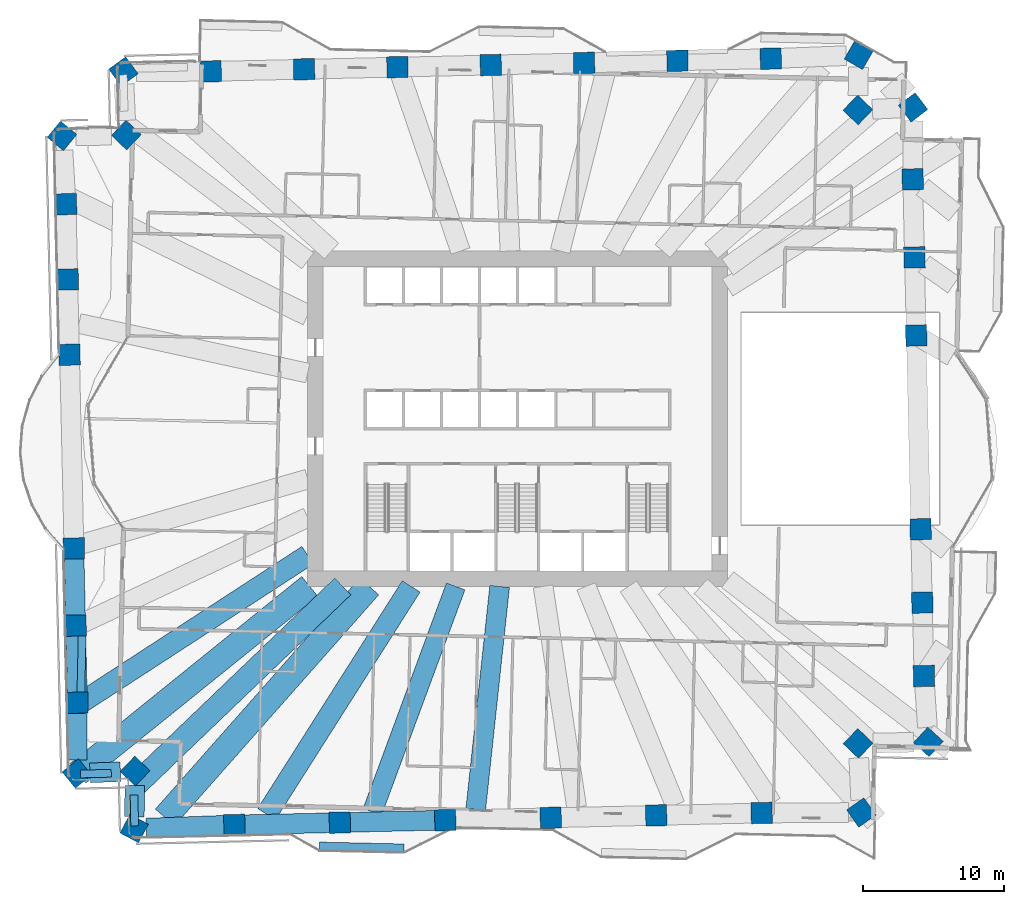
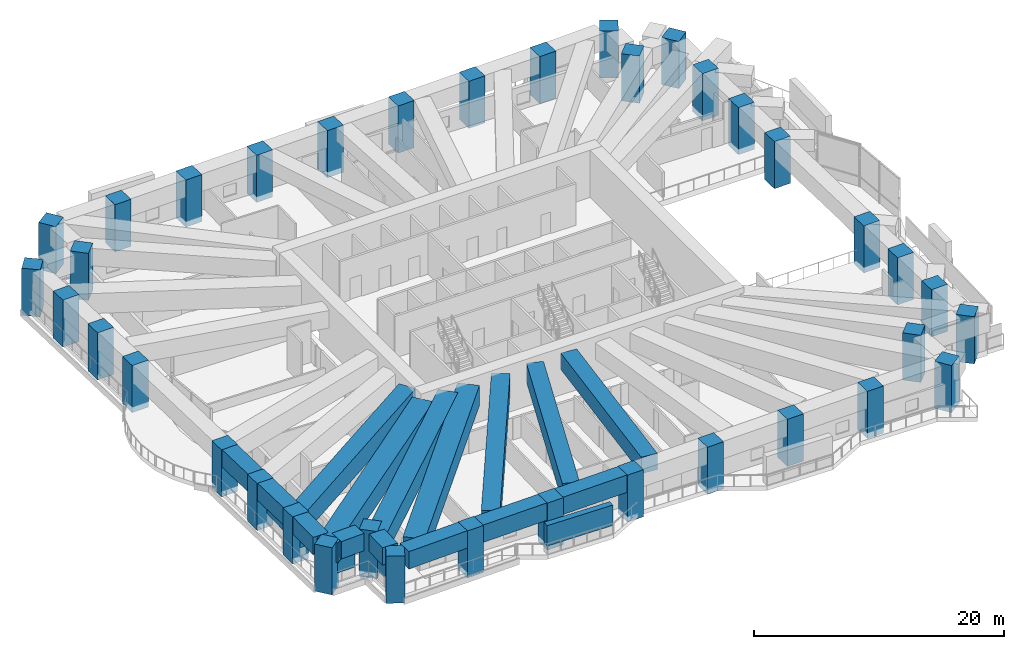
# One storey, part 1 of 20: 37 columns, 15 beams, 4 members.
"""IFC4 building model written with IfcOpenShell, lengths in metres."""

import ifcopenshell
import ifcopenshell.guid

model = None  # the IFC model being written
_history = None  # IfcOwnerHistory: only IFC2X3 demands one
_inside = {}  # id of a spatial element -> (the spatial element, [elements in it])
_under = {}  # id of a project, library or spatial element -> (it, [spatial elements below it])
_declared = {}  # id of a project -> (the project, [libraries it declares])
_typed = {}  # id of a type object -> (the type object, [elements of that type])
_made_of = {}  # id of a material, layer set ... -> (it, [elements and type objects made of it])


def new_model(schema):
    """Start an empty IFC model of exactly this schema.

    Asked for "IFC4X3", IfcOpenShell would pick the latest addendum, in which some entities
    have other attributes; the version numbers below select the first issue.
    IFC2X3 requires an IfcOwnerHistory on every rooted entity: one is made here for all.
    """
    global model, _history
    if schema == "IFC4X3":
        model = ifcopenshell.file(schema_version=(4, 3, 0, 0))
    else:
        model = ifcopenshell.file(schema=schema)
    _inside.clear()
    _under.clear()
    _declared.clear()
    _typed.clear()
    _made_of.clear()
    _history = None
    if model.schema == "IFC2X3":
        org = make("IfcOrganization", Name="unknown")
        user = make(
            "IfcPersonAndOrganization",
            ThePerson=make("IfcPerson", FamilyName="unknown"),
            TheOrganization=org,
        )
        app = make(
            "IfcApplication",
            ApplicationDeveloper=org,
            Version="unknown",
            ApplicationFullName="unknown",
            ApplicationIdentifier="unknown",
        )
        _history = make(
            "IfcOwnerHistory",
            OwningUser=user,
            OwningApplication=app,
            ChangeAction="ADDED",
            CreationDate=0,
        )
    return model


def make(cls, **values):
    """One entity of the class cls with the attributes given. An attribute that is None is left unset."""
    return model.create_entity(
        cls, **{name: value for name, value in values.items() if value is not None}
    )


def rooted(cls, **values):
    """An entity with a GlobalId (a new one), such as an element, a storey or a relation."""
    return make(cls, GlobalId=ifcopenshell.guid.new(), OwnerHistory=_history, **values)


def si_unit(unit_type, name, prefix=None):
    """IfcSIUnit, for example si_unit("LENGTHUNIT", "METRE", prefix="MILLI")."""
    return make("IfcSIUnit", UnitType=unit_type, Prefix=prefix, Name=name)


def assignment(units):
    """IfcUnitAssignment: the units of a project."""
    return None if units is None else make("IfcUnitAssignment", Units=units)


def point(xyz):
    """IfcCartesianPoint."""
    return None if xyz is None else make("IfcCartesianPoint", Coordinates=xyz)


def direction(xyz):
    """IfcDirection."""
    return None if xyz is None else make("IfcDirection", DirectionRatios=xyz)


def frame(location, z_axis=None, x_axis=None):
    """IfcAxis2Placement3D, a coordinate frame: its origin and axes. An axis left out is left unset."""
    return make(
        "IfcAxis2Placement3D",
        Location=point(location),
        Axis=direction(z_axis),
        RefDirection=direction(x_axis),
    )


def frame_2d(location, x_axis=None):
    """IfcAxis2Placement2D, a coordinate frame in the plane: its origin and x axis."""
    return make(
        "IfcAxis2Placement2D", Location=point(location), RefDirection=direction(x_axis)
    )


def origin():
    """The frame at (0, 0, 0) with its axes left unset."""
    return frame((0.0, 0.0, 0.0))


def origin_2d():
    """The frame at (0, 0) in the plane with its x axis left unset."""
    return frame_2d((0.0, 0.0))


def place(relative_to, where):
    """IfcLocalPlacement: puts the frame where relative to a parent placement (None: the world)."""
    return make(
        "IfcLocalPlacement", PlacementRelTo=relative_to, RelativePlacement=where
    )


def context(
    kind, dimensions, precision=None, world=None, true_north=None, identifier=None
):
    """IfcGeometricRepresentationContext, for example the 3D "Model" context."""
    return make(
        "IfcGeometricRepresentationContext",
        ContextIdentifier=identifier,
        ContextType=kind,
        CoordinateSpaceDimension=dimensions,
        Precision=precision,
        WorldCoordinateSystem=world,
        TrueNorth=true_north,
    )


def subcontext(parent, identifier, kind, view, scale=None):
    """IfcGeometricRepresentationSubContext, for example "Body" below "Model"."""
    return make(
        "IfcGeometricRepresentationSubContext",
        ContextIdentifier=identifier,
        ContextType=kind,
        ParentContext=parent,
        TargetScale=scale,
        TargetView=view,
    )


def project(units=None, contexts=None):
    """IfcProject with its units and contexts."""
    return rooted(
        "IfcProject",
        Name="project",
        RepresentationContexts=contexts,
        UnitsInContext=assignment(units),
    )


def spatial(cls, under=None, at=None, **own):
    """A site, building, storey or space (cls), placed at a placement, below another one or the project."""
    s = rooted(cls, ObjectPlacement=at, **own)
    if under is not None:
        _under.setdefault(under.id(), (under, []))[1].append(s)
    return s


def profile(cls, at=None, kind="AREA", **sizes):
    """A parametric profile (cls). Its sizes go by their IFC names, for example OverallWidth=200.0."""
    return make(cls, ProfileType=kind, Position=at, **sizes)


def rectangle(**sizes):
    """IfcRectangleProfileDef."""
    return profile("IfcRectangleProfileDef", **sizes)


def extrude(swept, where, along, depth):
    """IfcExtrudedAreaSolid: the profile swept, set in the frame where, extruded along a direction by depth."""
    return make(
        "IfcExtrudedAreaSolid",
        SweptArea=swept,
        Position=where,
        ExtrudedDirection=direction(along),
        Depth=depth,
    )


def shape(context_of_items, identifier, shape_type, items):
    """IfcShapeRepresentation: the items that make up one representation, for example the "Body"."""
    return make(
        "IfcShapeRepresentation",
        ContextOfItems=context_of_items,
        RepresentationIdentifier=identifier,
        RepresentationType=shape_type,
        Items=items,
    )


def material(Name=None, Category=None):
    """IfcMaterial."""
    return make("IfcMaterial", Name=Name, Category=Category)


def material_profile(
    of_material, cross_section, Name=None, Category=None, Priority=None
):
    """IfcMaterialProfile: a cross section and its material."""
    return make(
        "IfcMaterialProfile",
        Name=Name,
        Material=of_material,
        Profile=cross_section,
        Priority=Priority,
        Category=Category,
    )


def profile_set(profiles, Name=None, composite=None):
    """IfcMaterialProfileSet."""
    return make(
        "IfcMaterialProfileSet",
        Name=Name,
        MaterialProfiles=profiles,
        CompositeProfile=composite,
    )


def made_of(thing, what):
    """Note that an element or type object is made of a material, layer set ...; save() writes the relation."""
    if what is not None:
        _made_of.setdefault(what.id(), (what, []))[1].append(thing)
    return thing


def type_object(cls, material=None, **own):
    """A type object (cls), such as IfcWallType, which elements share."""
    return made_of(rooted(cls, **own), material)


def element(
    cls,
    number,
    at=None,
    inside=None,
    cuts=None,
    type_object=None,
    material=None,
    context=None,
    identifier="Body",
    shape_type=None,
    held_by="IfcProductDefinitionShape",
    body=None,
    shapes=None,
    **own,
):
    """One element of the class cls, such as IfcWall. Its Tag is "e" and its number.

    at: its placement. inside: the storey or other place that contains it. cuts: it is an
    opening in that element (IfcRelVoidsElement). A single representation is given by context,
    identifier, shape_type and body (its items); several are given by shapes. held_by: the class
    of the entity that holds the representations. save() writes the other relations.
    """
    e = rooted(cls, Tag="e%d" % number, ObjectPlacement=at, **own)
    if body is not None:
        shapes = [shape(context, identifier, shape_type, body)]
    if shapes is not None:
        e.Representation = make(held_by, Representations=shapes)
    if inside is not None:
        _inside.setdefault(inside.id(), (inside, []))[1].append(e)
    if cuts is not None:
        rooted(
            "IfcRelVoidsElement", RelatingBuildingElement=cuts, RelatedOpeningElement=e
        )
    if type_object is not None:
        _typed.setdefault(type_object.id(), (type_object, []))[1].append(e)
    return made_of(e, material)


def aggregate(whole, parts):
    """IfcRelAggregates: a whole, such as a stair, and the parts it consists of."""
    return rooted("IfcRelAggregates", RelatingObject=whole, RelatedObjects=parts)


def save(model, path):
    """Write the relations noted so far, then the file.

    IfcRelAggregates (storeys below a building ...), IfcRelContainedInSpatialStructure (elements
    in a storey), IfcRelDefinesByType, IfcRelAssociatesMaterial and IfcRelDeclares: one each for
    every whole, place, type object, material and project.
    """
    for whole, parts in _under.values():
        aggregate(whole, parts)
    for where, things in _inside.values():
        rooted(
            "IfcRelContainedInSpatialStructure",
            RelatedElements=things,
            RelatingStructure=where,
        )
    for kind, things in _typed.values():
        rooted("IfcRelDefinesByType", RelatedObjects=things, RelatingType=kind)
    for what, things in _made_of.values():
        rooted("IfcRelAssociatesMaterial", RelatedObjects=things, RelatingMaterial=what)
    for by, libraries in _declared.values():
        rooted("IfcRelDeclares", RelatingContext=by, RelatedDefinitions=libraries)
    model.write(path)


model = new_model("IFC4")

# Units and contexts
model_context = context("Model", 3, precision=1e-05, world=origin(), true_north=direction((0.0, 1.0)))
body_context = subcontext(model_context, "Body", "Model", "MODEL_VIEW")
ifc_project = project(units=[si_unit("LENGTHUNIT", "METRE"), si_unit("AREAUNIT", "SQUARE_METRE"), si_unit("VOLUMEUNIT", "CUBIC_METRE"), si_unit("PLANEANGLEUNIT", "RADIAN"), si_unit("MASSUNIT", "GRAM", prefix="KILO")], contexts=[model_context])

# Site, building, storey
site_placement = place(None, origin())
site = spatial("IfcSite", under=ifc_project, at=site_placement, CompositionType="ELEMENT")
building_placement = place(site_placement, origin())
building = spatial("IfcBuilding", under=site, at=building_placement, Name="Mangrove Gate Tower", CompositionType="ELEMENT")
storey_placement = place(building_placement, frame((0.0, 0.0, 52.10009765625)))
storey = spatial("IfcBuildingStorey", under=building, at=storey_placement, Name="L12", CompositionType="ELEMENT", Elevation=52.10009765625)

# Columns
ifc_material_1 = material(Name="Concrete C70/85", Category="concrete")
ifc_material_profile_1 = material_profile(ifc_material_1, rectangle(XDim=1.5, YDim=1.5, at=origin_2d()))
ifc_profile_set_1 = profile_set([ifc_material_profile_1], Name="Concrete C70/85")
column_type = type_object("IfcColumnType", Name="Column RC 1500x1500 C70/85", PredefinedType="COLUMN", material=ifc_profile_set_1)
for number, where, z_axis, x_axis, name in (
    (1, (-31.486083984375, -9.205078125, -0.550048828125), (0.0, 0.0, 1.0), (0.022677684385, -0.999742828247, 0.0), "Column L12 W06"),
    (2, (-31.3623046875, -14.678955078125, -0.550048828125), (0.0, 0.0, 1.0), (0.022648789156, -0.999743483274, 0.0), "Column L12 W07"),
    (3, (-31.23828125, -20.15185546875, -0.550048828125), (0.0, 0.0, 1.0), (0.022740081264, -0.999741410918, 0.0), "Column L12 W08"),
    (4, (-31.2783203125, -25.173095703125, -0.550048828125), (0.0, 0.0, 1.0), (0.626513761853, -0.779410358033, 0.0), "Column L12 W09"),
    (5, (-27.14697265625, -25.004638671875, -0.550048828125), (0.0, 0.0, 1.0), (0.723003777622, -0.690844076144, 0.0), "Column L12 W10"),
    (6, (-27.217041015625, -29.083740234375, -0.550048828125), (0.0, 0.0, 1.0), (0.88296485665, -0.469439092877, 0.0), "Column L12 S01"),
    (7, (-20.10205078125, -28.8271484375, -0.550048828125), (0.0, 0.0, 1.0), (0.999743591179, 0.022644025629, 0.0), "Column L12 S02"),
    (8, (-12.619140625, -28.6572265625, -0.550048828125), (0.0, 0.0, 1.0), (0.999742076866, 0.022710784754, 0.0), "Column L12 S03"),
    (9, (-5.135009765625, -28.4873046875, -0.550048828125), (0.0, 0.0, 1.0), (0.999742111349, 0.022709266709, 0.0), "Column L12 S04"),
    (10, (2.348876953125, -28.317138671875, -0.550048828125), (0.0, 0.0, 1.0), (0.999742111349, 0.022709266709, 0.0), "Column L12 S05"),
    (11, (9.8330078125, -28.147216796875, -0.550048828125), (0.0, 0.0, 1.0), (0.999742076866, 0.022710784754, 0.0), "Column L12 S06"),
    (12, (17.31591796875, -27.977294921875, -0.550048828125), (0.0, 0.0, 1.0), (0.999743591179, 0.022644025629, 0.0), "Column L12 S07"),
    (13, (24.386474609375, -27.94384765625, -0.550048828125), (0.0, 0.0, 1.0), (0.818798537757, 0.574080965166, 0.0), "Column L12 S08"),
    (14, (24.161865234375, -23.040771484375, -0.550048828125), (0.0, 0.0, 1.0), (0.690875836988, 0.722973428188, 0.0), "Column L12 E01"),
    (15, (29.150390625, -22.93798828125, -0.550048828125), (0.0, 0.0, 1.0), (0.675975496551, 0.736924099255, 0.0), "Column L12 E02"),
    (16, (28.834228515625, -18.256103515625, -0.550048828125), (0.0, 0.0, 1.0), (-0.022754110081, 0.99974109172, 0.0), "Column L12 E03"),
    (17, (28.71630859375, -13.049072265625, -0.550048828125), (0.0, 0.0, 1.0), (-0.022655978068, 0.999743320387, 0.0), "Column L12 E04"),
    (18, (28.59814453125, -7.842041015625, -0.550048828125), (0.0, 0.0, 1.0), (-0.022680668131, 0.999742760561, 0.0), "Column L12 E05"),
    (19, (28.2861328125, 5.905029296875, -0.550048828125), (0.0, 0.0, 1.0), (-0.022703735442, 0.999742236978, 0.0), "Column L12 E06"),
    (20, (28.16015625, 11.445068359375, -0.550048828125), (0.0, 0.0, 1.0), (-0.022645578574, 0.999743556004, 0.0), "Column L12 E07"),
    (21, (28.03515625, 16.986083984375, -0.550048828125), (0.0, 0.0, 1.0), (-0.022645578574, 0.999743556004, 0.0), "Column L12 E08"),
    (22, (28.06103515625, 22.09033203125, -0.550048828125), (0.0, 0.0, 1.0), (-0.60357593887, 0.797305516109, 0.0), "Column L12 E09"),
    (23, (24.141845703125, 21.90966796875, -0.550048828125), (0.0, 0.0, 1.0), (-0.723010312757, 0.690837236726, 0.0), "Column L12 E10"),
    (24, (24.196044921875, 25.80029296875, -0.550048828125), (0.0, 0.0, 1.0), (-0.867550504106, 0.497349095531, 0.0), "Column L12 N01"),
    (25, (17.963134765625, 25.55126953125, -0.550048828125), (0.0, 0.0, 1.0), (-0.999741913532, -0.022717973655, 0.0), "Column L12 N02"),
    (26, (11.340087890625, 25.400146484375, -0.550048828125), (0.0, 0.0, 1.0), (-0.999741952388, -0.022716263674, 0.0), "Column L12 N03"),
    (27, (4.716064453125, 25.250244140625, -0.550048828125), (0.0, 0.0, 1.0), (-0.999743663498, -0.022640832496, 0.0), "Column L12 N04"),
    (28, (-1.906982421875, 25.10009765625, -0.550048828125), (0.0, 0.0, 1.0), (-0.999741913532, -0.022717973655, 0.0), "Column L12 N05"),
    (29, (-8.530029296875, 24.94921875, -0.550048828125), (0.0, 0.0, 1.0), (-0.999741952388, -0.022716263674, 0.0), "Column L12 N06"),
    (30, (-15.154052734375, 24.799072265625, -0.550048828125), (0.0, 0.0, 1.0), (-0.999743663498, -0.022640832496, 0.0), "Column L12 N07"),
    (31, (-21.777099609375, 24.649169921875, -0.550048828125), (0.0, 0.0, 1.0), (-0.999743624771, -0.02264254248, 0.0), "Column L12 N08"),
    (32, (-27.975341796875, 24.642822265625, -0.550048828125), (0.0, 0.0, 1.0), (-0.808269368168, -0.588812897686, 0.0), "Column L12 N09"),
    (33, (-27.770751953125, 20.1318359375, -0.550048828125), (0.0, 0.0, 1.0), (-0.690863130287, -0.722985570541, 0.0), "Column L12 W01"),
    (34, (-32.332763671875, 20.068603515625, -0.550048828125), (0.0, 0.0, 1.0), (-0.63510539695, -0.772425488164, 0.0), "Column L12 W02"),
    (35, (-32.040283203125, 15.22216796875, -0.550048828125), (0.0, 0.0, 1.0), (0.022746921185, -0.999741255314, 0.0), "Column L12 W03"),
    (36, (-31.919189453125, 9.882080078125, -0.550048828125), (0.0, 0.0, 1.0), (0.022653360746, -0.999743379696, 0.0), "Column L12 W04"),
    (37, (-31.798095703125, 4.5419921875, -0.550048828125), (0.0, 0.0, 1.0), (0.022679760793, -0.999742781144, 0.0), "Column L12 W05"),
):
    element("IfcColumn", number, at=place(storey_placement, frame(where, z_axis=z_axis, x_axis=x_axis)), inside=storey, type_object=column_type, Name=name, PredefinedType="COLUMN", context=body_context, shape_type="SweptSolid", body=[
        extrude(rectangle(XDim=1.5, YDim=1.5, at=origin_2d()), origin(), (0.0, 0.0, 1.0), 4.599853515625),
    ])

# Members
ifc_material_2 = material(Name="Planting on aluminium trellis", Category="aluminium")
ifc_material_profile_2 = material_profile(ifc_material_2, rectangle(XDim=0.550048828125, YDim=2.0, at=origin_2d()))
ifc_profile_set_2 = profile_set([ifc_material_profile_2], Name="Planting on aluminium trellis")
member_type_1 = type_object("IfcMemberType", Name="Balcony greenery screen 550x2000", PredefinedType="USERDEFINED", material=ifc_profile_set_2)
member_1_placement = place(storey_placement, frame((-31.028076171875, -20.9140625, 1.7998046875), z_axis=(0.022665943652, 0.999743094499, 0.0), x_axis=(-0.999743094499, 0.022665943652, 0.0)))
element("IfcMember", 38, at=member_1_placement, inside=storey, type_object=member_type_1, Name="GREEN SCREEN L12 W1.1", ObjectType="PLANTING", PredefinedType="USERDEFINED", context=body_context, shape_type="SweptSolid", body=[
    extrude(rectangle(XDim=0.550048828125, YDim=2.0, at=origin_2d()), origin(), (0.0, 0.0, 1.0), 5.99951171875),
])
member_2_placement = place(storey_placement, frame((-14.054931640625, -30.31689453125, 1.7998046875), z_axis=(0.999743178102, -0.022662255828, 0.0), x_axis=(0.022662255828, 0.999743178102, 0.0)))
element("IfcMember", 39, at=member_2_placement, inside=storey, type_object=member_type_1, Name="GREEN SCREEN L12 S0.1", ObjectType="PLANTING", PredefinedType="USERDEFINED", context=body_context, shape_type="SweptSolid", body=[
    extrude(rectangle(XDim=0.550048828125, YDim=2.0, at=origin_2d()), origin(), (0.0, 0.0, 1.0), 6.00048828125),
])
ifc_material_3 = material(Name="Planting on aluminium trellis", Category="aluminium")
ifc_material_profile_3 = material_profile(ifc_material_3, rectangle(XDim=0.550048828125, YDim=1.800048828125, at=origin_2d()))
ifc_profile_set_3 = profile_set([ifc_material_profile_3], Name="Planting on aluminium trellis")
member_type_2 = type_object("IfcMemberType", Name="Roof greenery screen 550x1800", PredefinedType="USERDEFINED", material=ifc_profile_set_3)
for number, where, z_axis, x_axis, name in (
    (40, (-27.174072265625, -28.886962890625, 1.699951171875), (-0.022320849716, 0.999750858798, 0.0), (-0.999750858798, -0.022320849716, 0.0), "GREEN SCREEN L12 T2.4.6"),
    (41, (-28.8359375, -25.158935546875, 1.699951171875), (-0.999738250977, -0.022878582435, 0.0), (0.022878582435, -0.999738250977, 0.0), "GREEN SCREEN L12 T2.4.9"),
):
    element("IfcMember", number, at=place(storey_placement, frame(where, z_axis=z_axis, x_axis=x_axis)), inside=storey, type_object=member_type_2, Name=name, ObjectType="PLANTING", PredefinedType="USERDEFINED", context=body_context, shape_type="SweptSolid", body=[
        extrude(rectangle(XDim=0.550048828125, YDim=1.800048828125, at=origin_2d()), origin(), (0.0, 0.0, 1.0), 2.1875),
    ])

# Beams
ifc_material_4 = material(Name="Concrete C70/85", Category="concrete")
ifc_material_profile_4 = material_profile(ifc_material_4, rectangle(XDim=1.39990234375, YDim=1.60009765625, at=origin_2d()))
ifc_profile_set_4 = profile_set([ifc_material_profile_4], Name="Concrete C70/85")
beam_type_1 = type_object("IfcBeamType", Name="Transfer girder RC 1400x1600 C70/85", PredefinedType="BEAM", material=ifc_profile_set_4)
beam_1_placement = place(storey_placement, frame((-1.27685546875, -11.89990234375, 3.25), z_axis=(-0.106692910674, -0.994292020893, 0.0), x_axis=(0.994292020893, -0.106692910674, 0.0)))
element("IfcBeam", 42, at=beam_1_placement, inside=storey, type_object=beam_type_1, Name="Transfer girder L12 08", PredefinedType="BEAM", context=body_context, shape_type="SweptSolid", body=[
    extrude(rectangle(XDim=1.39990234375, YDim=1.60009765625, at=origin_2d()), origin(), (0.0, 0.0, 1.0), 15.914794921875),
])
ifc_material_5 = material(Name="Concrete C70/85", Category="concrete")
ifc_material_profile_5 = material_profile(ifc_material_5, rectangle(XDim=1.39990234375, YDim=1.699951171875, at=origin_2d()))
ifc_profile_set_5 = profile_set([ifc_material_profile_5], Name="Concrete C70/85")
beam_type_2 = type_object("IfcBeamType", Name="Transfer girder RC 1400x1700 C70/85", PredefinedType="BEAM", material=ifc_profile_set_5)
beam_2_placement = place(storey_placement, frame((-31.46923828125, -9.954833984375, 3.199951171875), z_axis=(0.022661418989, -0.999743197071, 0.0), x_axis=(0.999743197071, 0.022661418989, 0.0)))
element("IfcBeam", 43, at=beam_2_placement, inside=storey, type_object=beam_type_2, Name="Transfer ring girder L12 00", PredefinedType="BEAM", context=body_context, shape_type="SweptSolid", body=[
    extrude(rectangle(XDim=1.39990234375, YDim=1.699951171875, at=origin_2d()), origin(), (0.0, 0.0, 1.0), 3.975341796875),
])
beam_3_placement = place(storey_placement, frame((-31.34521484375, -15.4287109375, 3.199951171875), z_axis=(0.022666985754, -0.999743070872, 0.0), x_axis=(0.999743070872, 0.022666985754, 0.0)))
element("IfcBeam", 44, at=beam_3_placement, inside=storey, type_object=beam_type_2, Name="Transfer ring girder L12 01", PredefinedType="BEAM", context=body_context, shape_type="SweptSolid", body=[
    extrude(rectangle(XDim=1.39990234375, YDim=1.699951171875, at=origin_2d()), origin(), (0.0, 0.0, 1.0), 3.974365234375),
])
beam_4_placement = place(storey_placement, frame((-31.244140625, -20.90234375, 3.199951171875), z_axis=(-0.008058292247, -0.999967531436, 0.0), x_axis=(0.999967531436, -0.008058292247, 0.0)))
element("IfcBeam", 45, at=beam_4_placement, inside=storey, type_object=beam_type_2, Name="Transfer ring girder L12 02", PredefinedType="BEAM", context=body_context, shape_type="SweptSolid", body=[
    extrude(rectangle(XDim=1.39990234375, YDim=1.699951171875, at=origin_2d()), origin(), (0.0, 0.0, 1.0), 3.30224609375),
])
beam_5_placement = place(storey_placement, frame((-30.3466796875, -25.13525390625, 3.199951171875), z_axis=(0.99916758317, 0.040793881195, 0.0), x_axis=(-0.040793881195, 0.99916758317, 0.0)))
element("IfcBeam", 46, at=beam_5_placement, inside=storey, type_object=beam_type_2, Name="Transfer ring girder L12 03", PredefinedType="BEAM", context=body_context, shape_type="SweptSolid", body=[
    extrude(rectangle(XDim=1.39990234375, YDim=1.699951171875, at=origin_2d()), origin(), (0.0, 0.0, 1.0), 2.160400390625),
])
beam_6_placement = place(storey_placement, frame((-27.164306640625, -26.025390625, 3.199951171875), z_axis=(-0.017179973178, -0.99985241337, 0.0), x_axis=(0.99985241337, -0.017179973178, 0.0)))
element("IfcBeam", 47, at=beam_6_placement, inside=storey, type_object=beam_type_2, Name="Transfer ring girder L12 04", PredefinedType="BEAM", context=body_context, shape_type="SweptSolid", body=[
    extrude(rectangle(XDim=1.39990234375, YDim=1.699951171875, at=origin_2d()), origin(), (0.0, 0.0, 1.0), 2.216796875),
])
beam_7_placement = place(storey_placement, frame((-26.350830078125, -29.052490234375, 3.199951171875), z_axis=(0.999350873357, 0.036025434369, 0.0), x_axis=(-0.036025434369, 0.999350873357, 0.0)))
element("IfcBeam", 48, at=beam_7_placement, inside=storey, type_object=beam_type_2, Name="Transfer ring girder L12 05", PredefinedType="BEAM", context=body_context, shape_type="SweptSolid", body=[
    extrude(rectangle(XDim=1.39990234375, YDim=1.699951171875, at=origin_2d()), origin(), (0.0, 0.0, 1.0), 5.5029296875),
])
beam_8_placement = place(storey_placement, frame((-19.352294921875, -28.81005859375, 3.199951171875), z_axis=(0.999742761337, 0.022680633887, 0.0), x_axis=(-0.022680633887, 0.999742761337, 0.0)))
element("IfcBeam", 49, at=beam_8_placement, inside=storey, type_object=beam_type_2, Name="Transfer ring girder L12 06", PredefinedType="BEAM", context=body_context, shape_type="SweptSolid", body=[
    extrude(rectangle(XDim=1.39990234375, YDim=1.699951171875, at=origin_2d()), origin(), (0.0, 0.0, 1.0), 5.98486328125),
])
beam_9_placement = place(storey_placement, frame((-11.869140625, -28.64013671875, 3.199951171875), z_axis=(0.999741919763, 0.022717699466, 0.0), x_axis=(-0.022717699466, 0.999741919763, 0.0)))
element("IfcBeam", 50, at=beam_9_placement, inside=storey, type_object=beam_type_2, Name="Transfer ring girder L12 07", PredefinedType="BEAM", context=body_context, shape_type="SweptSolid", body=[
    extrude(rectangle(XDim=1.39990234375, YDim=1.699951171875, at=origin_2d()), origin(), (0.0, 0.0, 1.0), 5.98583984375),
])
ifc_material_6 = material(Name="Concrete C70/85", Category="concrete")
ifc_material_profile_6 = material_profile(ifc_material_6, rectangle(XDim=1.39990234375, YDim=1.800048828125, at=origin_2d()))
ifc_profile_set_6 = profile_set([ifc_material_profile_6], Name="Concrete C70/85")
beam_type_3 = type_object("IfcBeamType", Name="Transfer girder RC 1400x1800 C70/85", PredefinedType="BEAM", material=ifc_profile_set_6)
beam_10_placement = place(storey_placement, frame((-4.397705078125, -11.89990234375, 3.14990234375), z_axis=(-0.346639189237, -0.9379985461, 0.0), x_axis=(0.9379985461, -0.346639189237, 0.0)))
element("IfcBeam", 51, at=beam_10_placement, inside=storey, type_object=beam_type_3, Name="Transfer girder L12 07", PredefinedType="BEAM", context=body_context, shape_type="SweptSolid", body=[
    extrude(rectangle(XDim=1.39990234375, YDim=1.800048828125, at=origin_2d()), origin(), (0.0, 0.0, 1.0), 17.055419921875),
])
ifc_material_7 = material(Name="Concrete C70/85", Category="concrete")
ifc_material_profile_7 = material_profile(ifc_material_7, rectangle(XDim=1.5, YDim=1.949951171875, at=origin_2d()))
ifc_profile_set_7 = profile_set([ifc_material_profile_7], Name="Concrete C70/85")
beam_type_4 = type_object("IfcBeamType", Name="Transfer girder RC 1500x1950 C70/85", PredefinedType="BEAM", material=ifc_profile_set_7)
beam_11_placement = place(storey_placement, frame((-14.89990234375, -9.692138671875, 3.074951171875), z_axis=(-0.838263575353, -0.545265236592, 0.0), x_axis=(0.545265236592, -0.838263575353, 0.0)))
element("IfcBeam", 52, at=beam_11_placement, inside=storey, type_object=beam_type_4, Name="Transfer girder L12 02", PredefinedType="BEAM", context=body_context, shape_type="SweptSolid", body=[
    extrude(rectangle(XDim=1.5, YDim=1.949951171875, at=origin_2d()), origin(), (0.0, 0.0, 1.0), 19.4921875),
])
beam_12_placement = place(storey_placement, frame((-7.5556640625, -11.89990234375, 3.074951171875), z_axis=(-0.536007848098, -0.844212998465, 0.0), x_axis=(0.844212998465, -0.536007848098, 0.0)))
element("IfcBeam", 53, at=beam_12_placement, inside=storey, type_object=beam_type_4, Name="Transfer girder L12 06", PredefinedType="BEAM", context=body_context, shape_type="SweptSolid", body=[
    extrude(rectangle(XDim=1.5, YDim=1.949951171875, at=origin_2d()), origin(), (0.0, 0.0, 1.0), 19.14208984375),
])
ifc_material_8 = material(Name="Concrete C70/85", Category="concrete")
ifc_material_profile_8 = material_profile(ifc_material_8, rectangle(XDim=1.64990234375, YDim=1.949951171875, at=origin_2d()))
ifc_profile_set_8 = profile_set([ifc_material_profile_8], Name="Concrete C70/85")
beam_type_5 = type_object("IfcBeamType", Name="Transfer girder RC 1650x1950 C70/85", PredefinedType="BEAM", material=ifc_profile_set_8)
beam_13_placement = place(storey_placement, frame((-12.40869140625, -11.89990234375, 3.074951171875), z_axis=(-0.721746344233, -0.692157651541, 0.0), x_axis=(0.692157651541, -0.721746344233, 0.0)))
element("IfcBeam", 54, at=beam_13_placement, inside=storey, type_object=beam_type_5, Name="Transfer girder L12 04", PredefinedType="BEAM", context=body_context, shape_type="SweptSolid", body=[
    extrude(rectangle(XDim=1.64990234375, YDim=1.949951171875, at=origin_2d()), origin(), (0.0, 0.0, 1.0), 20.405029296875),
])
ifc_material_9 = material(Name="Concrete C70/85", Category="concrete")
ifc_material_profile_9 = material_profile(ifc_material_9, rectangle(XDim=1.800048828125, YDim=1.949951171875, at=origin_2d()))
ifc_profile_set_9 = profile_set([ifc_material_profile_9], Name="Concrete C70/85")
beam_type_6 = type_object("IfcBeamType", Name="Transfer girder RC 1800x1950 C70/85", PredefinedType="BEAM", material=ifc_profile_set_9)
beam_14_placement = place(storey_placement, frame((-14.75146484375, -11.89990234375, 3.074951171875), z_axis=(-0.778322171431, -0.627865110879, 0.0), x_axis=(0.627865110879, -0.778322171431, 0.0)))
element("IfcBeam", 55, at=beam_14_placement, inside=storey, type_object=beam_type_6, Name="Transfer girder L12 03", PredefinedType="BEAM", context=body_context, shape_type="SweptSolid", body=[
    extrude(rectangle(XDim=1.800048828125, YDim=1.949951171875, at=origin_2d()), origin(), (0.0, 0.0, 1.0), 21.13525390625),
])
beam_15_placement = place(storey_placement, frame((-10.528076171875, -11.89990234375, 3.074951171875), z_axis=(-0.662619604242, -0.748956113583, 0.0), x_axis=(0.748956113583, -0.662619604242, 0.0)))
element("IfcBeam", 56, at=beam_15_placement, inside=storey, type_object=beam_type_6, Name="Transfer girder L12 05", PredefinedType="BEAM", context=body_context, shape_type="SweptSolid", body=[
    extrude(rectangle(XDim=1.800048828125, YDim=1.949951171875, at=origin_2d()), origin(), (0.0, 0.0, 1.0), 21.889892578125),
])

save(model, "model.ifc")
